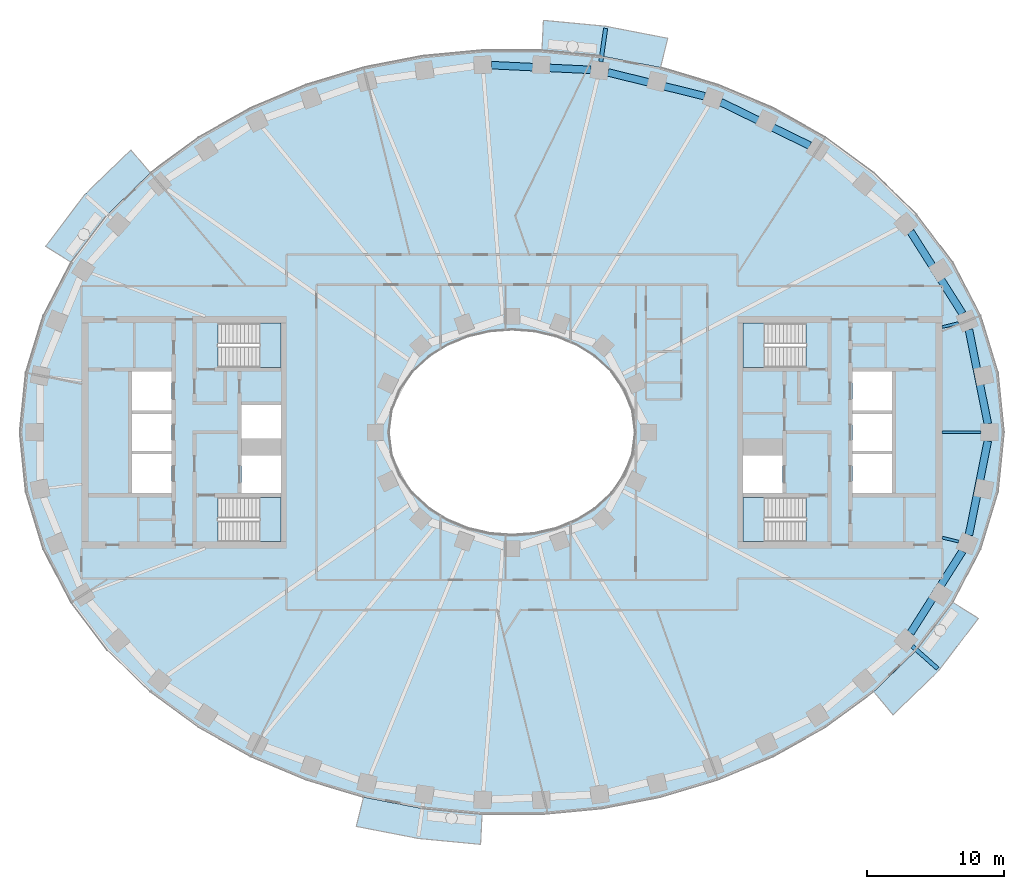
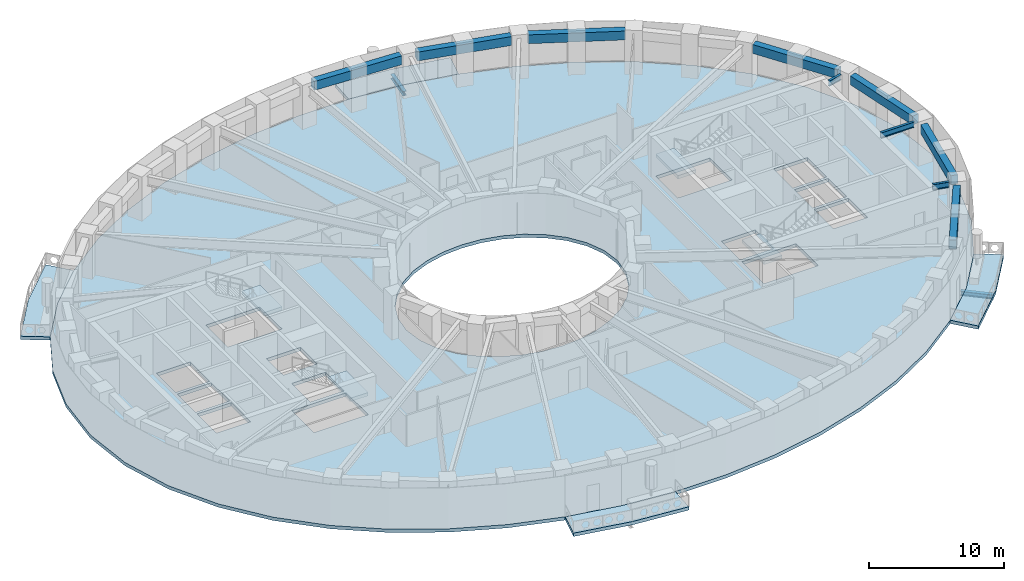
# One storey, part 2 of 16: 12 beams, 9 slabs, 4 elements without a shape of their own.
"""IFC4 building model written with IfcOpenShell, lengths in metres."""

from ifc_helpers import new_model, si_unit, direction, frame, origin, origin_2d, place, context, subcontext, project, spatial, polyline, rectangle, i_section, outline, extrude, material, layer, layer_set, material_profile, profile_set, type_object, element, aggregate, save


model = new_model("IFC4")

# Units and contexts
model_context = context("Model", 3, precision=1e-05, world=origin(), true_north=direction((0.0, 1.0)))
body_context = subcontext(model_context, "Body", "Model", "MODEL_VIEW")
ifc_project = project(units=[si_unit("LENGTHUNIT", "METRE"), si_unit("AREAUNIT", "SQUARE_METRE"), si_unit("VOLUMEUNIT", "CUBIC_METRE"), si_unit("PLANEANGLEUNIT", "RADIAN"), si_unit("MASSUNIT", "GRAM", prefix="KILO")], contexts=[model_context])

# Site, building, storey
site_placement = place(None, origin())
site = spatial("IfcSite", under=ifc_project, at=site_placement, CompositionType="ELEMENT")
building_placement = place(site_placement, origin())
building = spatial("IfcBuilding", under=site, at=building_placement, Name="Noorbagh Ring Tower", CompositionType="ELEMENT")
storey_placement = place(building_placement, frame((0.0, 0.0, 100.0)))
storey = spatial("IfcBuildingStorey", under=building, at=storey_placement, Name="L22", CompositionType="ELEMENT", Elevation=100.0)

# Beams
ifc_material_1 = material(Name="Steel S355", Category="steel")
ifc_material_profile_1 = material_profile(ifc_material_1, i_section(OverallWidth=0.300048828125, OverallDepth=0.39990234375, WebThickness=0.013427734375, FlangeThickness=0.02392578125, FilletRadius=0.027099609375, at=origin_2d()), Name="HEB400")
ifc_profile_set_1 = profile_set([ifc_material_profile_1], Name="Steel S355")
beam_type_1 = type_object("IfcBeamType", Name="STR-BALCONY-BRACKET-HEB400", PredefinedType="BEAM", material=ifc_profile_set_1)
beam_1_placement = place(storey_placement, frame((6.49951171875, 27.1142578125, -0.5), z_axis=(0.14299620794, 0.989723236322, 0.0), x_axis=(-0.989723236322, 0.14299620794, 0.0)))
element("IfcBeam", 1, at=beam_1_placement, inside=storey, type_object=beam_type_1, Name="Balcony bracket beam BN03", PredefinedType="BEAM", context=body_context, shape_type="SweptSolid", body=[
    extrude(i_section(OverallWidth=0.300048828125, OverallDepth=0.39990234375, WebThickness=0.013427734375, FlangeThickness=0.02392578125, FilletRadius=0.027099609375, at=origin_2d()), origin(), (0.0, 0.0, 1.0), 2.473876953125),
])
beam_2_placement = place(storey_placement, frame((29.290771484375, -15.64794921875, -0.5), z_axis=(0.749058582827, -0.662503765645, 0.0), x_axis=(0.662503765645, 0.749058582827, 0.0)))
element("IfcBeam", 2, at=beam_2_placement, inside=storey, type_object=beam_type_1, Name="Balcony bracket beam BS06", PredefinedType="BEAM", context=body_context, shape_type="SweptSolid", body=[
    extrude(i_section(OverallWidth=0.300048828125, OverallDepth=0.39990234375, WebThickness=0.013427734375, FlangeThickness=0.02392578125, FilletRadius=0.027099609375, at=origin_2d()), origin(), (0.0, 0.0, 1.0), 2.479248046875),
])
ifc_material_2 = material(Name="Steel S355", Category="steel")
ifc_material_profile_2 = material_profile(ifc_material_2, i_section(OverallWidth=0.199951171875, OverallDepth=0.5, WebThickness=0.01025390625, FlangeThickness=0.01611328125, FilletRadius=0.02099609375, at=origin_2d()), Name="IPE500")
ifc_profile_set_2 = profile_set([ifc_material_profile_2], Name="Steel S355")
beam_type_2 = type_object("IfcBeamType", Name="STR-RAD-IPE500", PredefinedType="BEAM", material=ifc_profile_set_2)
beam_3_placement = place(storey_placement, frame((34.314697265625, 0.0, 3.449951171875), z_axis=(-1.0, 0.0, 0.0), x_axis=(0.0, -1.0, 0.0)))
element("IfcBeam", 3, at=beam_3_placement, inside=storey, type_object=beam_type_2, Name="L22/bm/RD01", PredefinedType="BEAM", context=body_context, shape_type="SweptSolid", body=[
    extrude(i_section(OverallWidth=0.199951171875, OverallDepth=0.5, WebThickness=0.01025390625, FlangeThickness=0.01611328125, FilletRadius=0.02099609375, at=origin_2d()), origin(), (0.0, 0.0, 1.0), 2.834716796875),
])
for number, where, z_axis, x_axis, name in (
    (4, (32.686279296875, 7.997802734375, 3.449951171875), (-0.971367746696, -0.237580935009, 0.0), (0.237580935009, -0.971367746696, 0.0), "L22/bm/RD03"),
    (5, (32.686279296875, -7.997802734375, 3.449951171875), (-0.971367746696, 0.237580935009, 0.0), (-0.237580935009, -0.971367746696, 0.0), "L22/bm/RD45"),
):
    element("IfcBeam", number, at=place(storey_placement, frame(where, z_axis=z_axis, x_axis=x_axis)), inside=storey, type_object=beam_type_2, Name=name, PredefinedType="BEAM", context=body_context, shape_type="SweptSolid", body=[
        extrude(i_section(OverallWidth=0.199951171875, OverallDepth=0.5, WebThickness=0.01025390625, FlangeThickness=0.01611328125, FilletRadius=0.02099609375, at=origin_2d()), origin(), (0.0, 0.0, 1.0), 1.241455078125),
    ])
ifc_material_3 = material(Name="Concrete C40/50", Category="concrete")
ifc_material_profile_3 = material_profile(ifc_material_3, rectangle(XDim=0.550048828125, YDim=0.800048828125, at=origin_2d()), Name="RC550x800")
ifc_profile_set_3 = profile_set([ifc_material_profile_3], Name="Concrete C40/50")
beam_type_3 = type_object("IfcBeamType", Name="STR-SB-RC550x800-C40-50", PredefinedType="BEAM", material=ifc_profile_set_3)
beam_4_placement = place(storey_placement, frame((34.81787109375, 0.63037109375, 3.300048828125), z_axis=(-0.197218334535, 0.980359591437, 0.0), x_axis=(-0.980359591437, -0.197218334535, 0.0)))
element("IfcBeam", 6, at=beam_4_placement, inside=storey, type_object=beam_type_3, Name="L22/bm/SP01", PredefinedType="BEAM", context=body_context, shape_type="SweptSolid", body=[
    extrude(rectangle(XDim=0.550048828125, YDim=0.800048828125, at=origin_2d()), origin(), (0.0, 0.0, 1.0), 7.027587890625),
])
beam_5_placement = place(storey_placement, frame((32.962646484375, 8.690185546875, 3.300048828125), z_axis=(-0.535215588854, 0.844715498525, 0.0), x_axis=(-0.844715498525, -0.535215588854, 0.0)))
element("IfcBeam", 7, at=beam_5_placement, inside=storey, type_object=beam_type_3, Name="L22/bm/SP03", PredefinedType="BEAM", context=body_context, shape_type="SweptSolid", body=[
    extrude(rectangle(XDim=0.550048828125, YDim=0.800048828125, at=origin_2d()), origin(), (0.0, 0.0, 1.0), 7.104248046875),
])
beam_6_placement = place(storey_placement, frame((21.7919921875, 20.978759765625, 3.300048828125), z_axis=(-0.898412117145, 0.43915335336, 0.0), x_axis=(-0.43915335336, -0.898412117145, 0.0)))
element("IfcBeam", 8, at=beam_6_placement, inside=storey, type_object=beam_type_3, Name="L22/bm/SP07", PredefinedType="BEAM", context=body_context, shape_type="SweptSolid", body=[
    extrude(rectangle(XDim=0.550048828125, YDim=0.800048828125, at=origin_2d()), origin(), (0.0, 0.0, 1.0), 7.249267578125),
])
beam_7_placement = place(storey_placement, frame((14.094482421875, 24.5927734375, 3.300048828125), z_axis=(-0.970826778955, 0.239781911877, 0.0), x_axis=(-0.239781911877, -0.970826778955, 0.0)))
element("IfcBeam", 9, at=beam_7_placement, inside=storey, type_object=beam_type_3, Name="L22/bm/SP09", PredefinedType="BEAM", context=body_context, shape_type="SweptSolid", body=[
    extrude(rectangle(XDim=0.550048828125, YDim=0.800048828125, at=origin_2d()), origin(), (0.0, 0.0, 1.0), 7.282958984375),
])
beam_8_placement = place(storey_placement, frame((5.77685546875, 26.52099609375, 3.300048828125), z_axis=(-0.998868894653, 0.047549251258, 0.0), x_axis=(-0.047549251258, -0.998868894653, 0.0)))
element("IfcBeam", 10, at=beam_8_placement, inside=storey, type_object=beam_type_3, Name="L22/bm/SP11", PredefinedType="BEAM", context=body_context, shape_type="SweptSolid", body=[
    extrude(rectangle(XDim=0.550048828125, YDim=0.800048828125, at=origin_2d()), origin(), (0.0, 0.0, 1.0), 7.296142578125),
])
beam_9_placement = place(storey_placement, frame((29.160400390625, -14.691162109375, 3.300048828125), z_axis=(0.535215588854, 0.844715498525, 0.0), x_axis=(-0.844715498525, 0.535215588854, 0.0)))
element("IfcBeam", 11, at=beam_9_placement, inside=storey, type_object=beam_type_3, Name="L22/bm/SP43", PredefinedType="BEAM", context=body_context, shape_type="SweptSolid", body=[
    extrude(rectangle(XDim=0.550048828125, YDim=0.800048828125, at=origin_2d()), origin(), (0.0, 0.0, 1.0), 7.104248046875),
])
beam_10_placement = place(storey_placement, frame((33.431884765625, -7.52001953125, 3.300048828125), z_axis=(0.197218334535, 0.980359591437, 0.0), x_axis=(-0.980359591437, 0.197218334535, 0.0)))
element("IfcBeam", 12, at=beam_10_placement, inside=storey, type_object=beam_type_3, Name="L22/bm/SP45", PredefinedType="BEAM", context=body_context, shape_type="SweptSolid", body=[
    extrude(rectangle(XDim=0.550048828125, YDim=0.800048828125, at=origin_2d()), origin(), (0.0, 0.0, 1.0), 7.027587890625),
])

# Stair, slab
ifc_material_4 = material(Name="Concrete C40/50", Category="concrete")
stair_type = type_object("IfcStairType", Name="CORE-STAIR", PredefinedType="HALF_TURN_STAIR", material=ifc_material_4)
stair_1_placement = place(storey_placement, origin())
stair_1 = element("IfcStair", 13, at=stair_1_placement, inside=storey, type_object=stair_type, Name="L22 Exit stair ST1", PredefinedType="HALF_TURN_STAIR")
ifc_material_5 = material(Name="Concrete C40/50", Category="concrete")
ifc_layer_1 = layer(ifc_material_5, 0.300048828125)
ifc_layer_set_1 = layer_set([ifc_layer_1], Name="Concrete C40/50")
slab_type_1 = type_object("IfcSlabType", Name="CORE-STAIR-LANDING", PredefinedType="LANDING", material=ifc_layer_set_1)
slab_1_placement = place(storey_placement, frame((0.0, 0.0, 1.699951171875)))
slab_1 = element("IfcSlab", 14, at=slab_1_placement, type_object=slab_type_1, Name="ST1 landing 1", PredefinedType="LANDING", context=body_context, shape_type="SweptSolid", body=[
    extrude(outline(polyline([(-18.449951171875, 4.75), (-16.89990234375, 4.75), (-16.89990234375, 8.0), (-18.449951171875, 8.0), (-18.449951171875, 4.75)])), origin(), (0.0, 0.0, 1.0), 0.300048828125),
])
aggregate(stair_1, [slab_1])

stair_2_placement = place(storey_placement, origin())
stair_2 = element("IfcStair", 15, at=stair_2_placement, inside=storey, type_object=stair_type, Name="L22 Exit stair ST2", PredefinedType="HALF_TURN_STAIR")
slab_2_placement = place(storey_placement, frame((0.0, 0.0, 1.699951171875)))
slab_2 = element("IfcSlab", 16, at=slab_2_placement, type_object=slab_type_1, Name="ST2 landing 1", PredefinedType="LANDING", context=body_context, shape_type="SweptSolid", body=[
    extrude(outline(polyline([(-18.449951171875, -8.0), (-16.89990234375, -8.0), (-16.89990234375, -4.75), (-18.449951171875, -4.75), (-18.449951171875, -8.0)])), origin(), (0.0, 0.0, 1.0), 0.300048828125),
])
aggregate(stair_2, [slab_2])

stair_3_placement = place(storey_placement, origin())
stair_3 = element("IfcStair", 17, at=stair_3_placement, inside=storey, type_object=stair_type, Name="L22 Exit stair ST3", PredefinedType="HALF_TURN_STAIR")
slab_3_placement = place(storey_placement, frame((0.0, 0.0, 1.699951171875)))
slab_3 = element("IfcSlab", 18, at=slab_3_placement, type_object=slab_type_1, Name="ST3 landing 1", PredefinedType="LANDING", context=body_context, shape_type="SweptSolid", body=[
    extrude(outline(polyline([(18.449951171875, 8.0), (16.89990234375, 8.0), (16.89990234375, 4.75), (18.449951171875, 4.75), (18.449951171875, 8.0)])), origin(), (0.0, 0.0, 1.0), 0.300048828125),
])
aggregate(stair_3, [slab_3])

stair_4_placement = place(storey_placement, origin())
stair_4 = element("IfcStair", 19, at=stair_4_placement, inside=storey, type_object=stair_type, Name="L22 Exit stair ST4", PredefinedType="HALF_TURN_STAIR")
slab_4_placement = place(storey_placement, frame((0.0, 0.0, 1.699951171875)))
slab_4 = element("IfcSlab", 20, at=slab_4_placement, type_object=slab_type_1, Name="ST4 landing 1", PredefinedType="LANDING", context=body_context, shape_type="SweptSolid", body=[
    extrude(outline(polyline([(18.449951171875, -4.75), (16.89990234375, -4.75), (16.89990234375, -8.0), (18.449951171875, -8.0), (18.449951171875, -4.75)])), origin(), (0.0, 0.0, 1.0), 0.300048828125),
])
aggregate(stair_4, [slab_4])

# Slabs
ifc_material_6 = material(Name="Concrete C40/50", Category="concrete")
ifc_layer_2 = layer(ifc_material_6, 0.300048828125)
ifc_layer_set_2 = layer_set([ifc_layer_2], Name="Concrete C40/50")
slab_type_2 = type_object("IfcSlabType", Name="ENV-BALCONY DECK 300", PredefinedType="FLOOR", material=ifc_layer_set_2)
slab_5_placement = place(storey_placement, frame((0.0, 0.0, -0.300048828125)))
element("IfcSlab", 21, at=slab_5_placement, inside=storey, type_object=slab_type_2, Name="Tree balcony deck BN03", PredefinedType="FLOOR", context=body_context, shape_type="SweptSolid", body=[
    extrude(outline(polyline([(11.3935546875, 28.832763671875), (6.874755859375, 29.711181640625), (2.2978515625, 30.14794921875), (2.193115234375, 27.947998046875), (6.5595703125, 27.53125), (10.865234375, 26.6943359375), (11.3935546875, 28.832763671875)])), origin(), (0.0, 0.0, 1.0), 0.300048828125),
])
slab_6_placement = place(storey_placement, frame((0.0, 0.0, -0.300048828125)))
element("IfcSlab", 22, at=slab_6_placement, inside=storey, type_object=slab_type_2, Name="Tree balcony deck BN06", PredefinedType="FLOOR", context=body_context, shape_type="SweptSolid", body=[
    extrude(outline(polyline([(-27.888671875, 20.665771484375), (-31.26025390625, 17.389892578125), (-34.120361328125, 13.615966796875), (-32.255126953125, 12.434814453125), (-29.607666015625, 15.92822265625), (-26.463134765625, 18.983154296875), (-27.888671875, 20.665771484375)])), origin(), (0.0, 0.0, 1.0), 0.300048828125),
])
slab_7_placement = place(storey_placement, frame((0.0, 0.0, -0.300048828125)))
element("IfcSlab", 23, at=slab_7_placement, inside=storey, type_object=slab_type_2, Name="Tree balcony deck BS03", PredefinedType="FLOOR", context=body_context, shape_type="SweptSolid", body=[
    extrude(outline(polyline([(-11.3935546875, -28.832763671875), (-6.874755859375, -29.711181640625), (-2.2978515625, -30.14794921875), (-2.193115234375, -27.947998046875), (-6.5595703125, -27.53125), (-10.865234375, -26.6943359375), (-11.3935546875, -28.832763671875)])), origin(), (0.0, 0.0, 1.0), 0.300048828125),
])
slab_8_placement = place(storey_placement, frame((0.0, 0.0, -0.300048828125)))
element("IfcSlab", 24, at=slab_8_placement, inside=storey, type_object=slab_type_2, Name="Tree balcony deck BS06", PredefinedType="FLOOR", context=body_context, shape_type="SweptSolid", body=[
    extrude(outline(polyline([(27.888671875, -20.665771484375), (31.26025390625, -17.389892578125), (34.120361328125, -13.615966796875), (32.255126953125, -12.434814453125), (29.607666015625, -15.92822265625), (26.463134765625, -18.983154296875), (27.888671875, -20.665771484375)])), origin(), (0.0, 0.0, 1.0), 0.300048828125),
])
ifc_material_7 = material(Name="Concrete C40/50", Category="concrete")
ifc_layer_3 = layer(ifc_material_7, 0.300048828125)
ifc_layer_set_3 = layer_set([ifc_layer_3], Name="Concrete C40/50")
slab_type_3 = type_object("IfcSlabType", Name="STR-FLOOR-DECK-300", PredefinedType="FLOOR", material=ifc_layer_set_3)
slab_9_placement = place(storey_placement, frame((0.0, 0.0, -0.300048828125)))
element("IfcSlab", 25, at=slab_9_placement, inside=storey, type_object=slab_type_3, Name="L22/slab/1", PredefinedType="FLOOR", context=body_context, shape_type="SweptSolid", body=[
    extrude(outline(polyline([(36.0, 0.0), (35.56103515625, 4.358642578125), (34.281005859375, 8.548828125), (32.255126953125, 12.434814453125), (29.607666015625, 15.92822265625), (26.463134765625, 18.983154296875), (22.9326171875, 21.583740234375), (19.108154296875, 23.730224609375), (15.0654296875, 25.430419921875), (10.865234375, 26.6943359375), (6.5595703125, 27.53125), (2.193115234375, 27.947998046875), (-2.193115234375, 27.947998046875), (-6.5595703125, 27.53125), (-10.865234375, 26.6943359375), (-15.0654296875, 25.430419921875), (-19.108154296875, 23.730224609375), (-22.9326171875, 21.583740234375), (-26.463134765625, 18.983154296875), (-29.607666015625, 15.92822265625), (-32.255126953125, 12.434814453125), (-34.281005859375, 8.548828125), (-35.56103515625, 4.358642578125), (-36.0, 0.0), (-35.56103515625, -4.358642578125), (-34.281005859375, -8.548828125), (-32.255126953125, -12.434814453125), (-29.607666015625, -15.92822265625), (-26.463134765625, -18.983154296875), (-22.9326171875, -21.583740234375), (-19.108154296875, -23.730224609375), (-15.0654296875, -25.430419921875), (-10.865234375, -26.6943359375), (-6.5595703125, -27.53125), (-2.193115234375, -27.947998046875), (2.193115234375, -27.947998046875), (6.5595703125, -27.53125), (10.865234375, -26.6943359375), (15.0654296875, -25.430419921875), (19.108154296875, -23.730224609375), (22.9326171875, -21.583740234375), (26.463134765625, -18.983154296875), (29.607666015625, -15.92822265625), (32.255126953125, -12.434814453125), (34.281005859375, -8.548828125), (35.56103515625, -4.358642578125), (36.0, 0.0)]), holes=[polyline([(24.89990234375, -1.60009765625), (27.800048828125, -1.60009765625), (27.800048828125, -4.449951171875), (24.89990234375, -4.449951171875), (24.89990234375, -1.60009765625)]), polyline([(24.89990234375, 1.35009765625), (27.800048828125, 1.35009765625), (27.800048828125, -1.35009765625), (24.89990234375, -1.35009765625), (24.89990234375, 1.35009765625)]), polyline([(24.89990234375, 4.449951171875), (27.800048828125, 4.449951171875), (27.800048828125, 1.60009765625), (24.89990234375, 1.60009765625), (24.89990234375, 4.449951171875)]), polyline([(21.529541015625, -4.75), (21.529541015625, -8.0), (16.89990234375, -8.0), (16.89990234375, -4.75), (21.529541015625, -4.75)]), polyline([(21.529541015625, 4.75), (16.89990234375, 4.75), (16.89990234375, 8.0), (21.529541015625, 8.0), (21.529541015625, 4.75)]), polyline([(16.89990234375, -1.699951171875), (19.800048828125, -1.699951171875), (19.800048828125, -4.449951171875), (16.89990234375, -4.449951171875), (16.89990234375, -1.699951171875)]), polyline([(4.697509765625, -6.3974609375), (3.196533203125, -7.010986328125), (1.6171875, -7.3779296875), (0.0, -7.5), (-1.6171875, -7.3779296875), (-3.196533203125, -7.010986328125), (-4.697509765625, -6.3974609375), (-6.071044921875, -5.53662109375), (-7.2587890625, -4.43408203125), (-8.1904296875, -3.10888671875), (-8.79150390625, -1.605224609375), (-9.0, 0.0), (-8.79150390625, 1.605224609375), (-8.1904296875, 3.10888671875), (-7.2587890625, 4.43408203125), (-6.071044921875, 5.53662109375), (-4.697509765625, 6.3974609375), (-3.196533203125, 7.010986328125), (-1.6171875, 7.3779296875), (0.0, 7.5), (1.6171875, 7.3779296875), (3.196533203125, 7.010986328125), (4.697509765625, 6.3974609375), (6.071044921875, 5.53662109375), (7.2587890625, 4.43408203125), (8.1904296875, 3.10888671875), (8.79150390625, 1.605224609375), (9.0, 0.0), (8.79150390625, -1.605224609375), (8.1904296875, -3.10888671875), (7.2587890625, -4.43408203125), (6.071044921875, -5.53662109375), (4.697509765625, -6.3974609375)]), polyline([(-21.529541015625, -8.0), (-21.529541015625, -4.75), (-16.89990234375, -4.75), (-16.89990234375, -8.0), (-21.529541015625, -8.0)]), polyline([(-21.529541015625, 8.0), (-16.89990234375, 8.0), (-16.89990234375, 4.75), (-21.529541015625, 4.75), (-21.529541015625, 8.0)]), polyline([(-16.89990234375, -4.449951171875), (-19.800048828125, -4.449951171875), (-19.800048828125, -1.699951171875), (-16.89990234375, -1.699951171875), (-16.89990234375, -4.449951171875)]), polyline([(-16.89990234375, -0.449951171875), (-19.800048828125, -0.449951171875), (-19.800048828125, 2.0), (-16.89990234375, 2.0), (-16.89990234375, -0.449951171875)]), polyline([(-24.89990234375, -4.449951171875), (-27.800048828125, -4.449951171875), (-27.800048828125, -1.60009765625), (-24.89990234375, -1.60009765625), (-24.89990234375, -4.449951171875)]), polyline([(-24.89990234375, -1.35009765625), (-27.800048828125, -1.35009765625), (-27.800048828125, 1.35009765625), (-24.89990234375, 1.35009765625), (-24.89990234375, -1.35009765625)]), polyline([(-24.89990234375, 1.60009765625), (-27.800048828125, 1.60009765625), (-27.800048828125, 4.449951171875), (-24.89990234375, 4.449951171875), (-24.89990234375, 1.60009765625)])]), origin(), (0.0, 0.0, 1.0), 0.300048828125),
])

save(model, "model.ifc")
